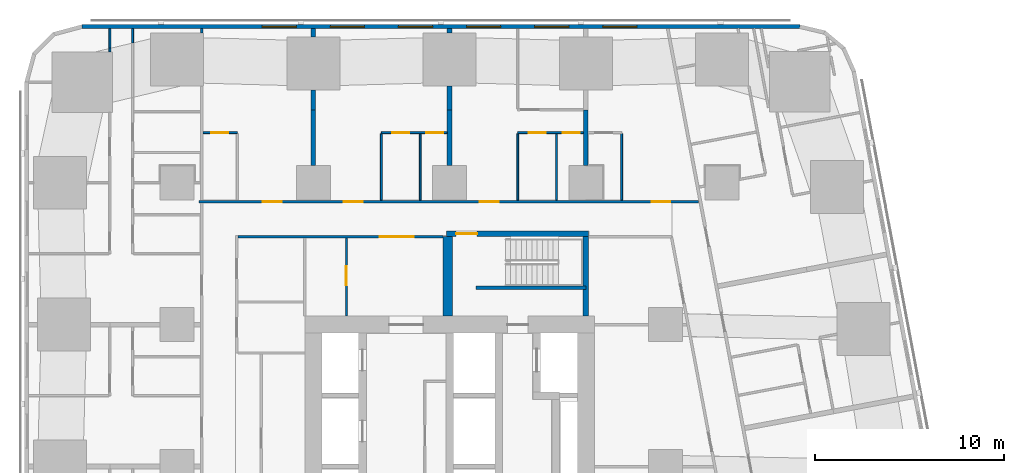
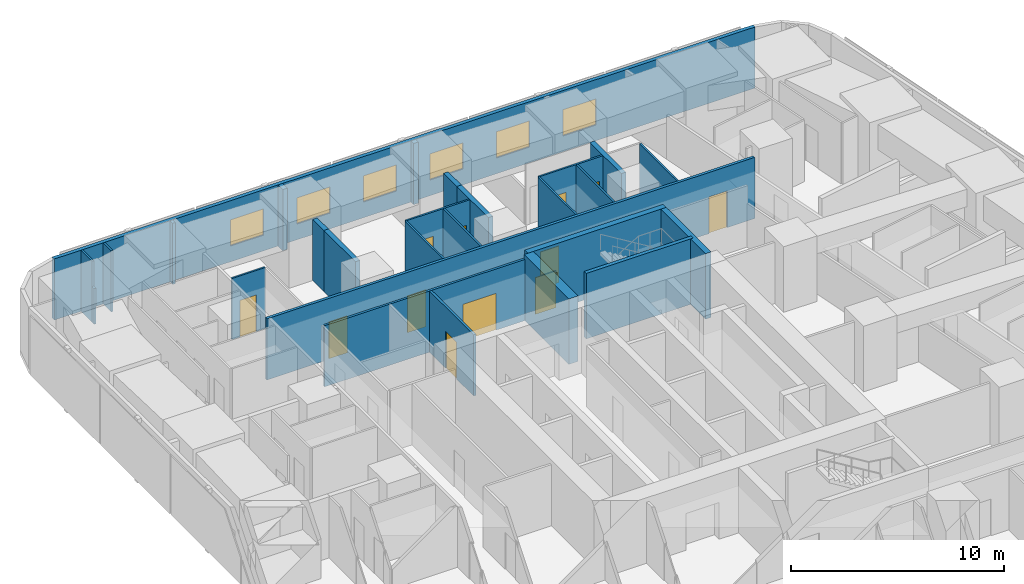
# One storey, part 9 of 15: 27 walls, 12 doors, 6 windows, 18 openings.
"""IFC4 building model written with IfcOpenShell, lengths in metres."""

from ifc_helpers import new_model, si_unit, direction, frame, frame_2d, origin, place, context, subcontext, project, spatial, rectangle, extrude, material, layer, layer_set, type_object, element, fill, save


model = new_model("IFC4")

# Units and contexts
model_context = context("Model", 3, precision=1e-05, world=origin(), true_north=direction((0.0, 1.0)))
body_context = subcontext(model_context, "Body", "Model", "MODEL_VIEW")
ifc_project = project(units=[si_unit("LENGTHUNIT", "METRE"), si_unit("AREAUNIT", "SQUARE_METRE"), si_unit("VOLUMEUNIT", "CUBIC_METRE"), si_unit("PLANEANGLEUNIT", "RADIAN"), si_unit("MASSUNIT", "GRAM", prefix="KILO")], contexts=[model_context])

# Site, building, storey
site_placement = place(None, origin())
site = spatial("IfcSite", under=ifc_project, at=site_placement, CompositionType="ELEMENT")
building_placement = place(site_placement, origin())
building = spatial("IfcBuilding", under=site, at=building_placement, Name="Sheger Commons Tower", CompositionType="ELEMENT")
storey_placement = place(building_placement, frame((0.0, 0.0, 42.5)))
storey = spatial("IfcBuildingStorey", under=building, at=storey_placement, Name="L10", CompositionType="ELEMENT", Elevation=42.5)

# Wall
ifc_material_1 = material(Name="Hollow concrete block masonry, skimmed both sides", Category="masonry")
ifc_layer_1 = layer(ifc_material_1, 0.14990234375)
ifc_layer_set_1 = layer_set([ifc_layer_1], Name="CORRIDOR WALL 150")
wall_type_1 = type_object("IfcWallType", Name="CORRIDOR WALL 150", PredefinedType="SOLIDWALL", material=ifc_layer_set_1)
wall_1_placement = place(storey_placement, frame((8.5, 45.40087890625, 0.0), z_axis=(0.0, 0.0, 1.0), x_axis=(0.0, 1.0, 0.0)))
element("IfcWall", 1, at=wall_1_placement, inside=storey, type_object=wall_type_1, Name="Corridor wall L10", PredefinedType="SOLIDWALL", context=body_context, shape_type="SweptSolid", body=[
    extrude(rectangle(XDim=0.2490234375, YDim=0.14990234375, at=frame_2d((0.12451171875, 0.0))), origin(), (0.0, 0.0, 1.0), 3.5),
])

# Wall, openings, doors
wall_2_placement = place(storey_placement, frame((8.35009765625, 36.5, 0.0), z_axis=(0.0, 0.0, 1.0), x_axis=(1.0, 0.0, 0.0)))
wall_2 = element("IfcWall", 2, at=wall_2_placement, inside=storey, type_object=wall_type_1, Name="Corridor wall L10", PredefinedType="SOLIDWALL", context=body_context, shape_type="SweptSolid", body=[
    extrude(rectangle(XDim=26.414794921875, YDim=0.14990234375, at=frame_2d((13.20751953125, 0.0))), origin(), (0.0, 0.0, 1.0), 3.5),
])
opening_1_placement = place(wall_2_placement, frame((3.383056640625, 0.0, 0.0)))
opening_1 = element("IfcOpeningElement", 3, at=opening_1_placement, cuts=wall_2, Name="Opening D1", PredefinedType="OPENING", context=body_context, shape_type="SweptSolid", body=[
    extrude(rectangle(XDim=1.0, YDim=2.10009765625, at=frame_2d((0.5, 1.050048828125))), frame((0.0, 0.0849609375, 0.0), z_axis=(0.0, -1.0, 0.0), x_axis=(1.0, 0.0, 0.0)), (0.0, 0.0, 1.0), 0.169921875),
])
opening_2_placement = place(wall_2_placement, frame((7.64990234375, 0.0, 0.0)))
opening_2 = element("IfcOpeningElement", 4, at=opening_2_placement, cuts=wall_2, Name="Opening D1", PredefinedType="OPENING", context=body_context, shape_type="SweptSolid", body=[
    extrude(rectangle(XDim=1.0, YDim=2.10009765625, at=frame_2d((0.5, 1.050048828125))), frame((0.0, 0.0849609375, 0.0), z_axis=(0.0, -1.0, 0.0), x_axis=(1.0, 0.0, 0.0)), (0.0, 0.0, 1.0), 0.169921875),
])
opening_3_placement = place(wall_2_placement, frame((14.85009765625, 0.0, 0.0)))
opening_3 = element("IfcOpeningElement", 5, at=opening_3_placement, cuts=wall_2, Name="Opening D1", PredefinedType="OPENING", context=body_context, shape_type="SweptSolid", body=[
    extrude(rectangle(XDim=1.0, YDim=2.10009765625, at=frame_2d((0.5, 1.050048828125))), frame((0.0, 0.0849609375, 0.0), z_axis=(0.0, -1.0, 0.0), x_axis=(1.0, 0.0, 0.0)), (0.0, 0.0, 1.0), 0.169921875),
])
opening_4_placement = place(wall_2_placement, frame((23.923095703125, 0.0, 0.0)))
opening_4 = element("IfcOpeningElement", 6, at=opening_4_placement, cuts=wall_2, Name="Opening D1", PredefinedType="OPENING", context=body_context, shape_type="SweptSolid", body=[
    extrude(rectangle(XDim=1.0, YDim=2.10009765625, at=frame_2d((0.5, 1.050048828125))), frame((0.0, 0.0849609375, 0.0), z_axis=(0.0, -1.0, 0.0), x_axis=(1.0, 0.0, 0.0)), (0.0, 0.0, 1.0), 0.169921875),
])
ifc_material_2 = material(Name="Steel door set, fire rated", Category="steel")
door_type_1 = type_object("IfcDoorType", Name="FLAT ENTRANCE DOOR 1000x2100", OperationType="NOTDEFINED", PredefinedType="DOOR", material=ifc_material_2)
door_1_placement = place(opening_1_placement, origin())
door_1 = element("IfcDoor", 7, at=door_1_placement, inside=storey, type_object=door_type_1, Name="Flat entrance door", OperationType="SINGLE_SWING_RIGHT", OverallHeight=2.10009765625, OverallWidth=1.0, PredefinedType="DOOR", context=body_context, shape_type="SweptSolid", body=[
    extrude(rectangle(XDim=1.0, YDim=2.10009765625, at=frame_2d((0.5, 1.050048828125))), frame((0.0, 0.02490234375, 0.0), z_axis=(0.0, -1.0, 0.0), x_axis=(1.0, 0.0, 0.0)), (0.0, 0.0, 1.0), 0.050048828125),
])
fill(opening_1, door_1)
door_2_placement = place(opening_2_placement, origin())
door_2 = element("IfcDoor", 8, at=door_2_placement, inside=storey, type_object=door_type_1, Name="Flat entrance door", OperationType="SINGLE_SWING_RIGHT", OverallHeight=2.10009765625, OverallWidth=1.0, PredefinedType="DOOR", context=body_context, shape_type="SweptSolid", body=[
    extrude(rectangle(XDim=1.0, YDim=2.10009765625, at=frame_2d((0.5, 1.050048828125))), frame((0.0, 0.02490234375, 0.0), z_axis=(0.0, -1.0, 0.0), x_axis=(1.0, 0.0, 0.0)), (0.0, 0.0, 1.0), 0.050048828125),
])
fill(opening_2, door_2)
door_3_placement = place(opening_3_placement, origin())
door_3 = element("IfcDoor", 9, at=door_3_placement, inside=storey, type_object=door_type_1, Name="Flat entrance door", OperationType="SINGLE_SWING_RIGHT", OverallHeight=2.10009765625, OverallWidth=1.0, PredefinedType="DOOR", context=body_context, shape_type="SweptSolid", body=[
    extrude(rectangle(XDim=1.0, YDim=2.10009765625, at=frame_2d((0.5, 1.050048828125))), frame((0.0, 0.02490234375, 0.0), z_axis=(0.0, -1.0, 0.0), x_axis=(1.0, 0.0, 0.0)), (0.0, 0.0, 1.0), 0.050048828125),
])
fill(opening_3, door_3)
door_4_placement = place(opening_4_placement, origin())
door_4 = element("IfcDoor", 10, at=door_4_placement, inside=storey, type_object=door_type_1, Name="Flat entrance door", OperationType="SINGLE_SWING_RIGHT", OverallHeight=2.10009765625, OverallWidth=1.0, PredefinedType="DOOR", context=body_context, shape_type="SweptSolid", body=[
    extrude(rectangle(XDim=1.0, YDim=2.10009765625, at=frame_2d((0.5, 1.050048828125))), frame((0.0, 0.02490234375, 0.0), z_axis=(0.0, -1.0, 0.0), x_axis=(1.0, 0.0, 0.0)), (0.0, 0.0, 1.0), 0.050048828125),
])
fill(opening_4, door_4)

# Walls
ifc_material_3 = material(Name="Dense concrete block masonry, plastered both sides (separating wall between flats)", Category="masonry")
ifc_layer_2 = layer(ifc_material_3, 0.25)
ifc_layer_set_2 = layer_set([ifc_layer_2], Name="DEMISING WALL 250")
wall_type_2 = type_object("IfcWallType", Name="DEMISING WALL 250", PredefinedType="SOLIDWALL", material=ifc_layer_set_2)
wall_3_placement = place(storey_placement, frame((14.39990234375, 41.35009765625, 0.0), z_axis=(0.0, 0.0, 1.0), x_axis=(0.0, 1.0, 0.0)))
element("IfcWall", 11, at=wall_3_placement, inside=storey, type_object=wall_type_2, Name="Demising wall L10", PredefinedType="SOLIDWALL", context=body_context, shape_type="SweptSolid", body=[
    extrude(rectangle(XDim=1.048828125, YDim=0.25, at=frame_2d((0.5244140625, 0.0))), origin(), (0.0, 0.0, 1.0), 3.5),
])
wall_4_placement = place(storey_placement, frame((14.39990234375, 45.200927734375, 0.0), z_axis=(0.0, 0.0, 1.0), x_axis=(0.0, 1.0, 0.0)))
element("IfcWall", 12, at=wall_4_placement, inside=storey, type_object=wall_type_2, Name="Demising wall L10", PredefinedType="SOLIDWALL", context=body_context, shape_type="SweptSolid", body=[
    extrude(rectangle(XDim=0.448974609375, YDim=0.25, at=frame_2d((0.224609375, 0.0))), origin(), (0.0, 0.0, 1.0), 3.5),
])
wall_5_placement = place(storey_placement, frame((14.39990234375, 38.40087890625, 0.0), z_axis=(0.0, 0.0, 1.0), x_axis=(0.0, 1.0, 0.0)))
element("IfcWall", 13, at=wall_5_placement, inside=storey, type_object=wall_type_2, Name="Demising wall L10", PredefinedType="SOLIDWALL", context=body_context, shape_type="SweptSolid", body=[
    extrude(rectangle(XDim=2.94921875, YDim=0.25, at=frame_2d((1.474609375, 0.0))), origin(), (0.0, 0.0, 1.0), 3.5),
])
wall_6_placement = place(storey_placement, frame((21.60009765625, 41.35009765625, 0.0), z_axis=(0.0, 0.0, 1.0), x_axis=(0.0, 1.0, 0.0)))
element("IfcWall", 14, at=wall_6_placement, inside=storey, type_object=wall_type_2, Name="Demising wall L10", PredefinedType="SOLIDWALL", context=body_context, shape_type="SweptSolid", body=[
    extrude(rectangle(XDim=1.2490234375, YDim=0.25, at=frame_2d((0.62451171875, 0.0))), origin(), (0.0, 0.0, 1.0), 3.5),
])
wall_7_placement = place(storey_placement, frame((21.60009765625, 45.40087890625, 0.0), z_axis=(0.0, 0.0, 1.0), x_axis=(0.0, 1.0, 0.0)))
element("IfcWall", 15, at=wall_7_placement, inside=storey, type_object=wall_type_2, Name="Demising wall L10", PredefinedType="SOLIDWALL", context=body_context, shape_type="SweptSolid", body=[
    extrude(rectangle(XDim=0.2490234375, YDim=0.25, at=frame_2d((0.12451171875, 0.0))), origin(), (0.0, 0.0, 1.0), 3.5),
])
for number, where, z_axis, x_axis, name in (
    (16, (21.60009765625, 38.40087890625, 0.0), (0.0, 0.0, 1.0), (0.0, 1.0, 0.0), "Demising wall L10"),
    (17, (28.800048828125, 38.40087890625, 0.0), (0.0, 0.0, 1.0), (0.0, 1.0, 0.0), "Demising wall L10"),
):
    element("IfcWall", number, at=place(storey_placement, frame(where, z_axis=z_axis, x_axis=x_axis)), inside=storey, type_object=wall_type_2, Name=name, PredefinedType="SOLIDWALL", context=body_context, shape_type="SweptSolid", body=[
        extrude(rectangle(XDim=2.94921875, YDim=0.25, at=frame_2d((1.474609375, 0.0))), origin(), (0.0, 0.0, 1.0), 3.5),
    ])

# Wall, openings, windows
ifc_material_4 = material(Name="Rendered concrete block masonry, dark grey", Category="masonry")
ifc_layer_3 = layer(ifc_material_4, 0.199951171875)
ifc_layer_set_3 = layer_set([ifc_layer_3], Name="FACADE WALL 200")
wall_type_3 = type_object("IfcWallType", Name="FACADE WALL 200", PredefinedType="SOLIDWALL", material=ifc_layer_set_3)
wall_8_placement = place(storey_placement, frame((40.10595703125, 45.75, 0.0), z_axis=(0.0, 0.0, 1.0), x_axis=(-1.0, 0.0, 0.0)))
wall_8 = element("IfcWall", 18, at=wall_8_placement, inside=storey, type_object=wall_type_3, Name="Facade wall L10", PredefinedType="SOLIDWALL", context=body_context, shape_type="SweptSolid", body=[
    extrude(rectangle(XDim=37.94287109375, YDim=0.199951171875, at=frame_2d((18.971435546875, 0.0))), origin(), (0.0, 0.0, 1.0), 3.5),
])
opening_5_placement = place(wall_8_placement, frame((8.60595703125, 0.0, 0.89990234375)))
opening_5 = element("IfcOpeningElement", 19, at=opening_5_placement, cuts=wall_8, Name="Opening W2", PredefinedType="OPENING", context=body_context, shape_type="SweptSolid", body=[
    extrude(rectangle(XDim=1.800048828125, YDim=1.5, at=frame_2d((0.89990234375, 0.75))), frame((0.0, 0.10986328125, 0.0), z_axis=(0.0, -1.0, 0.0), x_axis=(1.0, 0.0, 0.0)), (0.0, 0.0, 1.0), 0.219970703125),
])
opening_6_placement = place(wall_8_placement, frame((12.2060546875, 0.0, 0.89990234375)))
opening_6 = element("IfcOpeningElement", 20, at=opening_6_placement, cuts=wall_8, Name="Opening W2", PredefinedType="OPENING", context=body_context, shape_type="SweptSolid", body=[
    extrude(rectangle(XDim=1.800048828125, YDim=1.5, at=frame_2d((0.89990234375, 0.75))), frame((0.0, 0.10986328125, 0.0), z_axis=(0.0, -1.0, 0.0), x_axis=(1.0, 0.0, 0.0)), (0.0, 0.0, 1.0), 0.219970703125),
])
opening_7_placement = place(wall_8_placement, frame((15.805908203125, 0.0, 0.89990234375)))
opening_7 = element("IfcOpeningElement", 21, at=opening_7_placement, cuts=wall_8, Name="Opening W2", PredefinedType="OPENING", context=body_context, shape_type="SweptSolid", body=[
    extrude(rectangle(XDim=1.800048828125, YDim=1.5, at=frame_2d((0.89990234375, 0.75))), frame((0.0, 0.10986328125, 0.0), z_axis=(0.0, -1.0, 0.0), x_axis=(1.0, 0.0, 0.0)), (0.0, 0.0, 1.0), 0.219970703125),
])
opening_8_placement = place(wall_8_placement, frame((19.406005859375, 0.0, 0.89990234375)))
opening_8 = element("IfcOpeningElement", 22, at=opening_8_placement, cuts=wall_8, Name="Opening W2", PredefinedType="OPENING", context=body_context, shape_type="SweptSolid", body=[
    extrude(rectangle(XDim=1.800048828125, YDim=1.5, at=frame_2d((0.89990234375, 0.75))), frame((0.0, 0.10986328125, 0.0), z_axis=(0.0, -1.0, 0.0), x_axis=(1.0, 0.0, 0.0)), (0.0, 0.0, 1.0), 0.219970703125),
])
opening_9_placement = place(wall_8_placement, frame((23.006103515625, 0.0, 0.89990234375)))
opening_9 = element("IfcOpeningElement", 23, at=opening_9_placement, cuts=wall_8, Name="Opening W2", PredefinedType="OPENING", context=body_context, shape_type="SweptSolid", body=[
    extrude(rectangle(XDim=1.800048828125, YDim=1.5, at=frame_2d((0.89990234375, 0.75))), frame((0.0, 0.10986328125, 0.0), z_axis=(0.0, -1.0, 0.0), x_axis=(1.0, 0.0, 0.0)), (0.0, 0.0, 1.0), 0.219970703125),
])
opening_10_placement = place(wall_8_placement, frame((26.60595703125, 0.0, 0.89990234375)))
opening_10 = element("IfcOpeningElement", 24, at=opening_10_placement, cuts=wall_8, Name="Opening W2", PredefinedType="OPENING", context=body_context, shape_type="SweptSolid", body=[
    extrude(rectangle(XDim=1.800048828125, YDim=1.5, at=frame_2d((0.89990234375, 0.75))), frame((0.0, 0.10986328125, 0.0), z_axis=(0.0, -1.0, 0.0), x_axis=(1.0, 0.0, 0.0)), (0.0, 0.0, 1.0), 0.219970703125),
])
ifc_material_5 = material(Name="Black aluminium frame, dark tinted double glazing", Category="aluminium")
window_type = type_object("IfcWindowType", Name="WINDOW W2 1800x1500", PartitioningType="SINGLE_PANEL", PredefinedType="WINDOW", material=ifc_material_5)
window_1_placement = place(opening_5_placement, origin())
window_1 = element("IfcWindow", 25, at=window_1_placement, inside=storey, type_object=window_type, Name="Window W2 1800X1500", OverallHeight=1.5, OverallWidth=1.800048828125, PartitioningType="SINGLE_PANEL", PredefinedType="WINDOW", context=body_context, shape_type="SweptSolid", body=[
    extrude(rectangle(XDim=1.800048828125, YDim=1.5, at=frame_2d((0.89990234375, 0.75))), frame((0.0, 0.030029296875, 0.0), z_axis=(0.0, -1.0, 0.0), x_axis=(1.0, 0.0, 0.0)), (0.0, 0.0, 1.0), 0.06005859375),
])
fill(opening_5, window_1)
window_2_placement = place(opening_6_placement, origin())
window_2 = element("IfcWindow", 26, at=window_2_placement, inside=storey, type_object=window_type, Name="Window W2 1800X1500", OverallHeight=1.5, OverallWidth=1.800048828125, PartitioningType="SINGLE_PANEL", PredefinedType="WINDOW", context=body_context, shape_type="SweptSolid", body=[
    extrude(rectangle(XDim=1.800048828125, YDim=1.5, at=frame_2d((0.89990234375, 0.75))), frame((0.0, 0.030029296875, 0.0), z_axis=(0.0, -1.0, 0.0), x_axis=(1.0, 0.0, 0.0)), (0.0, 0.0, 1.0), 0.06005859375),
])
fill(opening_6, window_2)
window_3_placement = place(opening_7_placement, origin())
window_3 = element("IfcWindow", 27, at=window_3_placement, inside=storey, type_object=window_type, Name="Window W2 1800X1500", OverallHeight=1.5, OverallWidth=1.800048828125, PartitioningType="SINGLE_PANEL", PredefinedType="WINDOW", context=body_context, shape_type="SweptSolid", body=[
    extrude(rectangle(XDim=1.800048828125, YDim=1.5, at=frame_2d((0.89990234375, 0.75))), frame((0.0, 0.030029296875, 0.0), z_axis=(0.0, -1.0, 0.0), x_axis=(1.0, 0.0, 0.0)), (0.0, 0.0, 1.0), 0.06005859375),
])
fill(opening_7, window_3)
window_4_placement = place(opening_8_placement, origin())
window_4 = element("IfcWindow", 28, at=window_4_placement, inside=storey, type_object=window_type, Name="Window W2 1800X1500", OverallHeight=1.5, OverallWidth=1.800048828125, PartitioningType="SINGLE_PANEL", PredefinedType="WINDOW", context=body_context, shape_type="SweptSolid", body=[
    extrude(rectangle(XDim=1.800048828125, YDim=1.5, at=frame_2d((0.89990234375, 0.75))), frame((0.0, 0.030029296875, 0.0), z_axis=(0.0, -1.0, 0.0), x_axis=(1.0, 0.0, 0.0)), (0.0, 0.0, 1.0), 0.06005859375),
])
fill(opening_8, window_4)
window_5_placement = place(opening_9_placement, origin())
window_5 = element("IfcWindow", 29, at=window_5_placement, inside=storey, type_object=window_type, Name="Window W2 1800X1500", OverallHeight=1.5, OverallWidth=1.800048828125, PartitioningType="SINGLE_PANEL", PredefinedType="WINDOW", context=body_context, shape_type="SweptSolid", body=[
    extrude(rectangle(XDim=1.800048828125, YDim=1.5, at=frame_2d((0.89990234375, 0.75))), frame((0.0, 0.030029296875, 0.0), z_axis=(0.0, -1.0, 0.0), x_axis=(1.0, 0.0, 0.0)), (0.0, 0.0, 1.0), 0.06005859375),
])
fill(opening_9, window_5)
window_6_placement = place(opening_10_placement, origin())
window_6 = element("IfcWindow", 30, at=window_6_placement, inside=storey, type_object=window_type, Name="Window W2 1800X1500", OverallHeight=1.5, OverallWidth=1.800048828125, PartitioningType="SINGLE_PANEL", PredefinedType="WINDOW", context=body_context, shape_type="SweptSolid", body=[
    extrude(rectangle(XDim=1.800048828125, YDim=1.5, at=frame_2d((0.89990234375, 0.75))), frame((0.0, 0.030029296875, 0.0), z_axis=(0.0, -1.0, 0.0), x_axis=(1.0, 0.0, 0.0)), (0.0, 0.0, 1.0), 0.06005859375),
])
fill(opening_10, window_6)

# Walls
ifc_material_6 = material(Name="Gypsum board on steel studs", Category="steel")
ifc_layer_4 = layer(ifc_material_6, 0.10009765625)
ifc_layer_set_4 = layer_set([ifc_layer_4], Name="PARTITION 100")
wall_type_4 = type_object("IfcWallType", Name="PARTITION 100", PredefinedType="PARTITIONING", material=ifc_layer_set_4)
wall_9_placement = place(storey_placement, frame((3.64990234375, 44.4150390625, 0.0), z_axis=(0.0, 0.0, 1.0), x_axis=(0.0, 1.0, 0.0)))
element("IfcWall", 31, at=wall_9_placement, inside=storey, type_object=wall_type_4, Name="Partition L10", PredefinedType="PARTITIONING", context=body_context, shape_type="SweptSolid", body=[
    extrude(rectangle(XDim=0.196044921875, YDim=0.10009765625, at=frame_2d((0.09814453125, 0.0))), origin(), (0.0, 0.0, 1.0), 2.050048828125),
])
wall_10_placement = place(storey_placement, frame((3.64990234375, 44.611083984375, 0.0), z_axis=(0.0, 0.0, 1.0), x_axis=(0.0, 1.0, 0.0)))
element("IfcWall", 32, at=wall_10_placement, inside=storey, type_object=wall_type_4, Name="Partition L10", PredefinedType="PARTITIONING", context=body_context, shape_type="SweptSolid", body=[
    extrude(rectangle(XDim=1.038818359375, YDim=0.10009765625, at=frame_2d((0.51953125, 0.0))), origin(), (0.0, 0.0, 1.0), 3.5),
])
wall_11_placement = place(storey_placement, frame((4.85009765625, 44.89501953125, 0.0), z_axis=(0.0, 0.0, 1.0), x_axis=(0.0, 1.0, 0.0)))
element("IfcWall", 33, at=wall_11_placement, inside=storey, type_object=wall_type_4, Name="Partition L10", PredefinedType="PARTITIONING", context=body_context, shape_type="SweptSolid", body=[
    extrude(rectangle(XDim=0.7548828125, YDim=0.10009765625, at=frame_2d((0.37744140625, 0.0))), origin(), (0.0, 0.0, 1.0), 3.5),
])

# Wall, opening, door
wall_12_placement = place(storey_placement, frame((8.574951171875, 40.14990234375, 0.0), z_axis=(0.0, 0.0, 1.0), x_axis=(1.0, 0.0, 0.0)))
wall_12 = element("IfcWall", 34, at=wall_12_placement, inside=storey, type_object=wall_type_4, Name="Partition L10", PredefinedType="PARTITIONING", context=body_context, shape_type="SweptSolid", body=[
    extrude(rectangle(XDim=1.81494140625, YDim=0.10009765625, at=frame_2d((0.907470703125, 0.0))), origin(), (0.0, 0.0, 1.0), 3.5),
])
opening_11_placement = place(wall_12_placement, frame((0.425048828125, 0.0, 0.0)))
opening_11 = element("IfcOpeningElement", 35, at=opening_11_placement, cuts=wall_12, Name="Opening D2", PredefinedType="OPENING", context=body_context, shape_type="SweptSolid", body=[
    extrude(rectangle(XDim=0.89990234375, YDim=2.10009765625, at=frame_2d((0.449951171875, 1.050048828125))), frame((0.0, 0.06005859375, 0.0), z_axis=(0.0, -1.0, 0.0), x_axis=(1.0, 0.0, 0.0)), (0.0, 0.0, 1.0), 0.1201171875),
])
ifc_material_7 = material(Name="Timber door set", Category="wood")
door_type_2 = type_object("IfcDoorType", Name="INTERNAL DOOR 900x2100", OperationType="NOTDEFINED", PredefinedType="DOOR", material=ifc_material_7)
door_5_placement = place(opening_11_placement, origin())
door_5 = element("IfcDoor", 36, at=door_5_placement, inside=storey, type_object=door_type_2, Name="Shower room door", OperationType="SINGLE_SWING_RIGHT", OverallHeight=2.10009765625, OverallWidth=0.89990234375, PredefinedType="DOOR", context=body_context, shape_type="SweptSolid", body=[
    extrude(rectangle(XDim=0.89990234375, YDim=2.10009765625, at=frame_2d((0.449951171875, 1.050048828125))), frame((0.0, 0.02490234375, 0.0), z_axis=(0.0, -1.0, 0.0), x_axis=(1.0, 0.0, 0.0)), (0.0, 0.0, 1.0), 0.050048828125),
])
fill(opening_11, door_5)

# Wall, openings, doors
wall_13_placement = place(storey_placement, frame((18.0, 40.14990234375, 0.0), z_axis=(0.0, 0.0, 1.0), x_axis=(1.0, 0.0, 0.0)))
wall_13 = element("IfcWall", 37, at=wall_13_placement, inside=storey, type_object=wall_type_4, Name="Partition L10", PredefinedType="PARTITIONING", context=body_context, shape_type="SweptSolid", body=[
    extrude(rectangle(XDim=3.47509765625, YDim=0.10009765625, at=frame_2d((1.737548828125, 0.0))), origin(), (0.0, 0.0, 1.0), 3.5),
])
opening_12_placement = place(wall_13_placement, frame((0.574951171875, 0.0, 0.0)))
opening_12 = element("IfcOpeningElement", 38, at=opening_12_placement, cuts=wall_13, Name="Opening D2", PredefinedType="OPENING", context=body_context, shape_type="SweptSolid", body=[
    extrude(rectangle(XDim=0.89990234375, YDim=2.10009765625, at=frame_2d((0.449951171875, 1.050048828125))), frame((0.0, 0.06005859375, 0.0), z_axis=(0.0, -1.0, 0.0), x_axis=(1.0, 0.0, 0.0)), (0.0, 0.0, 1.0), 0.1201171875),
])
opening_13_placement = place(wall_13_placement, frame((2.375, 0.0, 0.0)))
opening_13 = element("IfcOpeningElement", 39, at=opening_13_placement, cuts=wall_13, Name="Opening D2", PredefinedType="OPENING", context=body_context, shape_type="SweptSolid", body=[
    extrude(rectangle(XDim=0.89990234375, YDim=2.10009765625, at=frame_2d((0.449951171875, 1.050048828125))), frame((0.0, 0.06005859375, 0.0), z_axis=(0.0, -1.0, 0.0), x_axis=(1.0, 0.0, 0.0)), (0.0, 0.0, 1.0), 0.1201171875),
])
door_6_placement = place(opening_12_placement, origin())
door_6 = element("IfcDoor", 40, at=door_6_placement, inside=storey, type_object=door_type_2, Name="Bathroom door", OperationType="SINGLE_SWING_RIGHT", OverallHeight=2.10009765625, OverallWidth=0.89990234375, PredefinedType="DOOR", context=body_context, shape_type="SweptSolid", body=[
    extrude(rectangle(XDim=0.89990234375, YDim=2.10009765625, at=frame_2d((0.449951171875, 1.050048828125))), frame((0.0, 0.02490234375, 0.0), z_axis=(0.0, -1.0, 0.0), x_axis=(1.0, 0.0, 0.0)), (0.0, 0.0, 1.0), 0.050048828125),
])
fill(opening_12, door_6)
door_7_placement = place(opening_13_placement, origin())
door_7 = element("IfcDoor", 41, at=door_7_placement, inside=storey, type_object=door_type_2, Name="Store door", OperationType="SINGLE_SWING_LEFT", OverallHeight=2.10009765625, OverallWidth=0.89990234375, PredefinedType="DOOR", context=body_context, shape_type="SweptSolid", body=[
    extrude(rectangle(XDim=0.89990234375, YDim=2.10009765625, at=frame_2d((0.449951171875, 1.050048828125))), frame((0.0, 0.02490234375, 0.0), z_axis=(0.0, -1.0, 0.0), x_axis=(1.0, 0.0, 0.0)), (0.0, 0.0, 1.0), 0.050048828125),
])
fill(opening_13, door_7)

# Walls
for number, where, z_axis, x_axis, name in (
    (42, (18.0, 36.574951171875, 0.0), (0.0, 0.0, 1.0), (0.0, 1.0, 0.0), "Partition L10"),
    (43, (20.050048828125, 36.574951171875, 0.0), (0.0, 0.0, 1.0), (0.0, 1.0, 0.0), "Partition L10"),
):
    element("IfcWall", number, at=place(storey_placement, frame(where, z_axis=z_axis, x_axis=x_axis)), inside=storey, type_object=wall_type_4, Name=name, PredefinedType="PARTITIONING", context=body_context, shape_type="SweptSolid", body=[
        extrude(rectangle(XDim=3.525146484375, YDim=0.10009765625, at=frame_2d((1.7626953125, 0.0))), origin(), (0.0, 0.0, 1.0), 3.5),
    ])

# Wall, openings, doors
wall_14_placement = place(storey_placement, frame((25.199951171875, 40.14990234375, 0.0), z_axis=(0.0, 0.0, 1.0), x_axis=(1.0, 0.0, 0.0)))
wall_14 = element("IfcWall", 44, at=wall_14_placement, inside=storey, type_object=wall_type_4, Name="Partition L10", PredefinedType="PARTITIONING", context=body_context, shape_type="SweptSolid", body=[
    extrude(rectangle(XDim=3.47509765625, YDim=0.10009765625, at=frame_2d((1.737548828125, 0.0))), origin(), (0.0, 0.0, 1.0), 3.5),
])
opening_14_placement = place(wall_14_placement, frame((0.574951171875, 0.0, 0.0)))
opening_14 = element("IfcOpeningElement", 45, at=opening_14_placement, cuts=wall_14, Name="Opening D2", PredefinedType="OPENING", context=body_context, shape_type="SweptSolid", body=[
    extrude(rectangle(XDim=0.89990234375, YDim=2.10009765625, at=frame_2d((0.449951171875, 1.050048828125))), frame((0.0, 0.06005859375, 0.0), z_axis=(0.0, -1.0, 0.0), x_axis=(1.0, 0.0, 0.0)), (0.0, 0.0, 1.0), 0.1201171875),
])
opening_15_placement = place(wall_14_placement, frame((2.375, 0.0, 0.0)))
opening_15 = element("IfcOpeningElement", 46, at=opening_15_placement, cuts=wall_14, Name="Opening D2", PredefinedType="OPENING", context=body_context, shape_type="SweptSolid", body=[
    extrude(rectangle(XDim=0.89990234375, YDim=2.10009765625, at=frame_2d((0.449951171875, 1.050048828125))), frame((0.0, 0.06005859375, 0.0), z_axis=(0.0, -1.0, 0.0), x_axis=(1.0, 0.0, 0.0)), (0.0, 0.0, 1.0), 0.1201171875),
])
door_8_placement = place(opening_14_placement, origin())
door_8 = element("IfcDoor", 47, at=door_8_placement, inside=storey, type_object=door_type_2, Name="Bathroom door", OperationType="SINGLE_SWING_RIGHT", OverallHeight=2.10009765625, OverallWidth=0.89990234375, PredefinedType="DOOR", context=body_context, shape_type="SweptSolid", body=[
    extrude(rectangle(XDim=0.89990234375, YDim=2.10009765625, at=frame_2d((0.449951171875, 1.050048828125))), frame((0.0, 0.02490234375, 0.0), z_axis=(0.0, -1.0, 0.0), x_axis=(1.0, 0.0, 0.0)), (0.0, 0.0, 1.0), 0.050048828125),
])
fill(opening_14, door_8)
door_9_placement = place(opening_15_placement, origin())
door_9 = element("IfcDoor", 48, at=door_9_placement, inside=storey, type_object=door_type_2, Name="Store door", OperationType="SINGLE_SWING_LEFT", OverallHeight=2.10009765625, OverallWidth=0.89990234375, PredefinedType="DOOR", context=body_context, shape_type="SweptSolid", body=[
    extrude(rectangle(XDim=0.89990234375, YDim=2.10009765625, at=frame_2d((0.449951171875, 1.050048828125))), frame((0.0, 0.02490234375, 0.0), z_axis=(0.0, -1.0, 0.0), x_axis=(1.0, 0.0, 0.0)), (0.0, 0.0, 1.0), 0.050048828125),
])
fill(opening_15, door_9)

# Walls
for number, where, z_axis, x_axis, name in (
    (49, (25.199951171875, 36.574951171875, 0.0), (0.0, 0.0, 1.0), (0.0, 1.0, 0.0), "Partition L10"),
    (50, (27.25, 36.574951171875, 0.0), (0.0, 0.0, 1.0), (0.0, 1.0, 0.0), "Partition L10"),
    (51, (30.68994140625, 36.574951171875, 0.0), (0.0, 0.0, 1.0), (0.0, 1.0, 0.0), "Partition L10"),
):
    element("IfcWall", number, at=place(storey_placement, frame(where, z_axis=z_axis, x_axis=x_axis)), inside=storey, type_object=wall_type_4, Name=name, PredefinedType="PARTITIONING", context=body_context, shape_type="SweptSolid", body=[
        extrude(rectangle(XDim=3.525146484375, YDim=0.10009765625, at=frame_2d((1.7626953125, 0.0))), origin(), (0.0, 0.0, 1.0), 3.5),
    ])

# Wall, opening, door
ifc_material_8 = material(Name="Gypsum board on steel studs, two layers each side, fire rated", Category="steel")
ifc_layer_5 = layer(ifc_material_8, 0.125)
ifc_layer_set_5 = layer_set([ifc_layer_5], Name="SERVICE WALL 125")
wall_type_5 = type_object("IfcWallType", Name="SERVICE WALL 125", PredefinedType="PARTITIONING", material=ifc_layer_set_5)
wall_15_placement = place(storey_placement, frame((10.4130859375, 34.64990234375, 0.0), z_axis=(0.0, 0.0, 1.0), x_axis=(1.0, 0.0, 0.0)))
wall_15 = element("IfcWall", 52, at=wall_15_placement, inside=storey, type_object=wall_type_5, Name="Service room wall L10", PredefinedType="PARTITIONING", context=body_context, shape_type="SweptSolid", body=[
    extrude(rectangle(XDim=10.8369140625, YDim=0.125, at=frame_2d((5.41845703125, 0.0))), origin(), (0.0, 0.0, 1.0), 3.5),
])
opening_16_placement = place(wall_15_placement, frame((7.487060546875, 0.0, 0.0)))
opening_16 = element("IfcOpeningElement", 53, at=opening_16_placement, cuts=wall_15, Name="Opening D6", PredefinedType="OPENING", context=body_context, shape_type="SweptSolid", body=[
    extrude(rectangle(XDim=1.800048828125, YDim=2.10009765625, at=frame_2d((0.89990234375, 1.050048828125))), frame((0.0, 0.072509765625, 0.0), z_axis=(0.0, -1.0, 0.0), x_axis=(1.0, 0.0, 0.0)), (0.0, 0.0, 1.0), 0.14501953125),
])
ifc_material_9 = material(Name="Steel door set, fire rated", Category="steel")
door_type_3 = type_object("IfcDoorType", Name="LOBBY DOUBLE DOOR 1800x2100", OperationType="DOUBLE_DOOR_SINGLE_SWING", PredefinedType="DOOR", material=ifc_material_9)
door_10_placement = place(opening_16_placement, origin())
door_10 = element("IfcDoor", 54, at=door_10_placement, inside=storey, type_object=door_type_3, Name="Lift lobby north door", OperationType="DOUBLE_DOOR_SINGLE_SWING", OverallHeight=2.10009765625, OverallWidth=1.800048828125, PredefinedType="DOOR", context=body_context, shape_type="SweptSolid", body=[
    extrude(rectangle(XDim=1.800048828125, YDim=2.10009765625, at=frame_2d((0.89990234375, 1.050048828125))), frame((0.0, 0.02490234375, 0.0), z_axis=(0.0, -1.0, 0.0), x_axis=(1.0, 0.0, 0.0)), (0.0, 0.0, 1.0), 0.050048828125),
])
fill(opening_16, door_10)

wall_16_placement = place(storey_placement, frame((16.14990234375, 30.449951171875, 0.0), z_axis=(0.0, 0.0, 1.0), x_axis=(0.0, 1.0, 0.0)))
wall_16 = element("IfcWall", 55, at=wall_16_placement, inside=storey, type_object=wall_type_5, Name="Service room wall L10", PredefinedType="PARTITIONING", context=body_context, shape_type="SweptSolid", body=[
    extrude(rectangle(XDim=4.136962890625, YDim=0.125, at=frame_2d((2.068359375, 0.0))), origin(), (0.0, 0.0, 1.0), 3.5),
])
opening_17_placement = place(wall_16_placement, frame((1.625, 0.0, 0.0)))
opening_17 = element("IfcOpeningElement", 56, at=opening_17_placement, cuts=wall_16, Name="Opening D4", PredefinedType="OPENING", context=body_context, shape_type="SweptSolid", body=[
    extrude(rectangle(XDim=1.0, YDim=2.10009765625, at=frame_2d((0.5, 1.050048828125))), frame((0.0, 0.072509765625, 0.0), z_axis=(0.0, -1.0, 0.0), x_axis=(1.0, 0.0, 0.0)), (0.0, 0.0, 1.0), 0.14501953125),
])
ifc_material_10 = material(Name="Steel door set, fire rated", Category="steel")
door_type_4 = type_object("IfcDoorType", Name="SERVICE DOOR 1000x2100", OperationType="NOTDEFINED", PredefinedType="DOOR", material=ifc_material_10)
door_11_placement = place(opening_17_placement, origin())
door_11 = element("IfcDoor", 57, at=door_11_placement, inside=storey, type_object=door_type_4, Name="Telecom room door", OperationType="SINGLE_SWING_RIGHT", OverallHeight=2.10009765625, OverallWidth=1.0, PredefinedType="DOOR", context=body_context, shape_type="SweptSolid", body=[
    extrude(rectangle(XDim=1.0, YDim=2.10009765625, at=frame_2d((0.5, 1.050048828125))), frame((0.0, 0.02490234375, 0.0), z_axis=(0.0, -1.0, 0.0), x_axis=(1.0, 0.0, 0.0)), (0.0, 0.0, 1.0), 0.050048828125),
])
fill(opening_17, door_11)

ifc_material_11 = material(Name="Concrete C50/60", Category="concrete")
ifc_layer_6 = layer(ifc_material_11, 0.300048828125)
ifc_layer_set_6 = layer_set([ifc_layer_6], Name="STAIR CORE WALL 300")
wall_type_6 = type_object("IfcWallType", Name="STAIR CORE WALL 300", PredefinedType="SHEAR", material=ifc_layer_set_6)
wall_17_placement = place(storey_placement, frame((21.449951171875, 34.800048828125, 0.0), z_axis=(0.0, 0.0, 1.0), x_axis=(1.0, 0.0, 0.0)))
wall_17 = element("IfcWall", 58, at=wall_17_placement, inside=storey, type_object=wall_type_6, Name="STW-L10-S2N", PredefinedType="SHEAR", context=body_context, shape_type="SweptSolid", body=[
    extrude(rectangle(XDim=7.5, YDim=0.300048828125, at=frame_2d((3.75, 0.0))), origin(), (0.0, 0.0, 1.0), 3.75),
])
opening_18_placement = place(wall_17_placement, frame((0.5, 0.0, 0.0)))
opening_18 = element("IfcOpeningElement", 59, at=opening_18_placement, cuts=wall_17, Name="Opening D5", PredefinedType="OPENING", context=body_context, shape_type="SweptSolid", body=[
    extrude(rectangle(XDim=1.10009765625, YDim=2.10009765625, at=frame_2d((0.550048828125, 1.050048828125))), frame((0.0, 0.159912109375, 0.0), z_axis=(0.0, -1.0, 0.0), x_axis=(1.0, 0.0, 0.0)), (0.0, 0.0, 1.0), 0.320068359375),
])
ifc_material_12 = material(Name="Steel door set, fire rated", Category="steel")
door_type_5 = type_object("IfcDoorType", Name="STAIR DOOR 1100x2100", OperationType="NOTDEFINED", PredefinedType="DOOR", material=ifc_material_12)
door_12_placement = place(opening_18_placement, origin())
door_12 = element("IfcDoor", 60, at=door_12_placement, inside=storey, type_object=door_type_5, Name="Stair S2 door", OperationType="SINGLE_SWING_RIGHT", OverallHeight=2.10009765625, OverallWidth=1.10009765625, PredefinedType="DOOR", context=body_context, shape_type="SweptSolid", body=[
    extrude(rectangle(XDim=1.10009765625, YDim=2.10009765625, at=frame_2d((0.550048828125, 1.050048828125))), frame((0.0, 0.02490234375, 0.0), z_axis=(0.0, -1.0, 0.0), x_axis=(1.0, 0.0, 0.0)), (0.0, 0.0, 1.0), 0.050048828125),
])
fill(opening_18, door_12)

# Walls
wall_18_placement = place(storey_placement, frame((28.800048828125, 30.449951171875, 0.0), z_axis=(0.0, 0.0, 1.0), x_axis=(0.0, 1.0, 0.0)))
element("IfcWall", 61, at=wall_18_placement, inside=storey, type_object=wall_type_6, Name="STW-L10-S2E", PredefinedType="SHEAR", context=body_context, shape_type="SweptSolid", body=[
    extrude(rectangle(XDim=4.199951171875, YDim=0.300048828125, at=frame_2d((2.10009765625, 0.0))), origin(), (0.0, 0.0, 1.0), 3.75),
])
ifc_material_13 = material(Name="Concrete C50/60", Category="concrete")
ifc_layer_7 = layer(ifc_material_13, 0.5)
ifc_layer_set_7 = layer_set([ifc_layer_7], Name="STAIR CORE WALL 500")
wall_type_7 = type_object("IfcWallType", Name="STAIR CORE WALL 500", PredefinedType="SHEAR", material=ifc_layer_set_7)
wall_19_placement = place(storey_placement, frame((21.5, 30.449951171875, 0.0), z_axis=(0.0, 0.0, 1.0), x_axis=(0.0, 1.0, 0.0)))
element("IfcWall", 62, at=wall_19_placement, inside=storey, type_object=wall_type_7, Name="STW-L10-S2W", PredefinedType="SHEAR", context=body_context, shape_type="SweptSolid", body=[
    extrude(rectangle(XDim=4.199951171875, YDim=0.5, at=frame_2d((2.10009765625, 0.0))), origin(), (0.0, 0.0, 1.0), 3.75),
])
ifc_material_14 = material(Name="Concrete C50/60", Category="concrete")
ifc_layer_8 = layer(ifc_material_14, 0.199951171875)
ifc_layer_set_8 = layer_set([ifc_layer_8], Name="STAIR SPINE WALL 200")
wall_type_8 = type_object("IfcWallType", Name="STAIR SPINE WALL 200", PredefinedType="SHEAR", material=ifc_layer_set_8)
wall_20_placement = place(storey_placement, frame((23.0, 31.949951171875, 0.0), z_axis=(0.0, 0.0, 1.0), x_axis=(1.0, 0.0, 0.0)))
element("IfcWall", 63, at=wall_20_placement, inside=storey, type_object=wall_type_8, Name="Stair spine wall L10", PredefinedType="SHEAR", context=body_context, shape_type="SweptSolid", body=[
    extrude(rectangle(XDim=5.800048828125, YDim=0.199951171875, at=frame_2d((2.89990234375, 0.0))), origin(), (0.0, 0.0, 1.0), 3.75),
])

save(model, "model.ifc")
